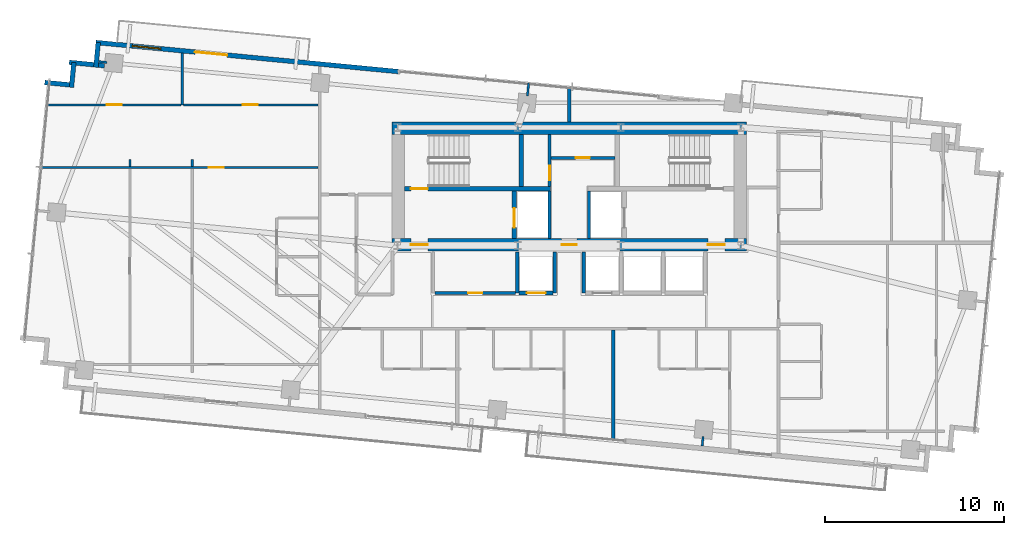
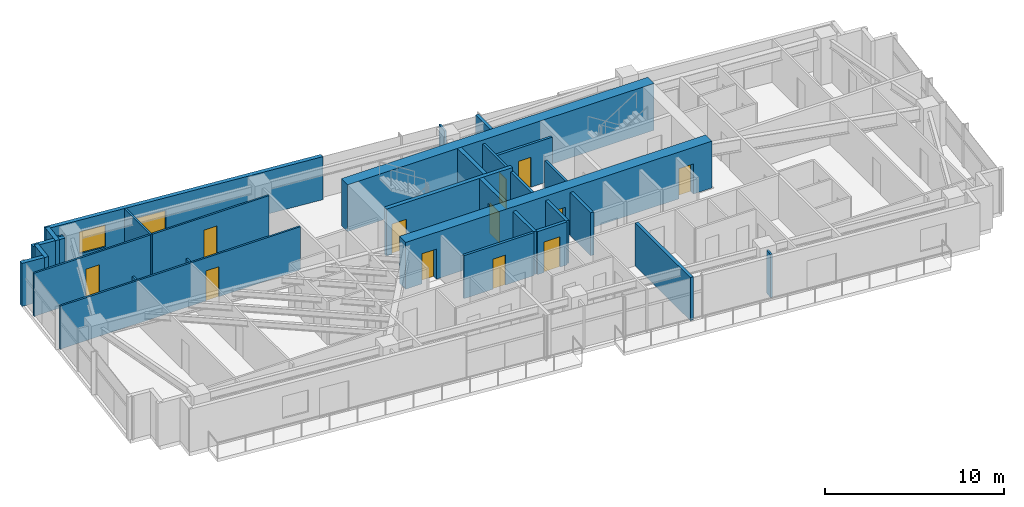
# One storey, part 15 of 19: 30 walls, 13 doors, 1 window, 14 openings.
"""IFC4 building model written with IfcOpenShell, lengths in metres."""

import ifcopenshell
import ifcopenshell.guid

model = None  # the IFC model being written
_history = None  # IfcOwnerHistory: only IFC2X3 demands one
_inside = {}  # id of a spatial element -> (the spatial element, [elements in it])
_under = {}  # id of a project, library or spatial element -> (it, [spatial elements below it])
_declared = {}  # id of a project -> (the project, [libraries it declares])
_typed = {}  # id of a type object -> (the type object, [elements of that type])
_made_of = {}  # id of a material, layer set ... -> (it, [elements and type objects made of it])


def new_model(schema):
    """Start an empty IFC model of exactly this schema.

    Asked for "IFC4X3", IfcOpenShell would pick the latest addendum, in which some entities
    have other attributes; the version numbers below select the first issue.
    IFC2X3 requires an IfcOwnerHistory on every rooted entity: one is made here for all.
    """
    global model, _history
    if schema == "IFC4X3":
        model = ifcopenshell.file(schema_version=(4, 3, 0, 0))
    else:
        model = ifcopenshell.file(schema=schema)
    _inside.clear()
    _under.clear()
    _declared.clear()
    _typed.clear()
    _made_of.clear()
    _history = None
    if model.schema == "IFC2X3":
        org = make("IfcOrganization", Name="unknown")
        user = make(
            "IfcPersonAndOrganization",
            ThePerson=make("IfcPerson", FamilyName="unknown"),
            TheOrganization=org,
        )
        app = make(
            "IfcApplication",
            ApplicationDeveloper=org,
            Version="unknown",
            ApplicationFullName="unknown",
            ApplicationIdentifier="unknown",
        )
        _history = make(
            "IfcOwnerHistory",
            OwningUser=user,
            OwningApplication=app,
            ChangeAction="ADDED",
            CreationDate=0,
        )
    return model


def make(cls, **values):
    """One entity of the class cls with the attributes given. An attribute that is None is left unset."""
    return model.create_entity(
        cls, **{name: value for name, value in values.items() if value is not None}
    )


def rooted(cls, **values):
    """An entity with a GlobalId (a new one), such as an element, a storey or a relation."""
    return make(cls, GlobalId=ifcopenshell.guid.new(), OwnerHistory=_history, **values)


def si_unit(unit_type, name, prefix=None):
    """IfcSIUnit, for example si_unit("LENGTHUNIT", "METRE", prefix="MILLI")."""
    return make("IfcSIUnit", UnitType=unit_type, Prefix=prefix, Name=name)


def assignment(units):
    """IfcUnitAssignment: the units of a project."""
    return None if units is None else make("IfcUnitAssignment", Units=units)


def point(xyz):
    """IfcCartesianPoint."""
    return None if xyz is None else make("IfcCartesianPoint", Coordinates=xyz)


def direction(xyz):
    """IfcDirection."""
    return None if xyz is None else make("IfcDirection", DirectionRatios=xyz)


def frame(location, z_axis=None, x_axis=None):
    """IfcAxis2Placement3D, a coordinate frame: its origin and axes. An axis left out is left unset."""
    return make(
        "IfcAxis2Placement3D",
        Location=point(location),
        Axis=direction(z_axis),
        RefDirection=direction(x_axis),
    )


def frame_2d(location, x_axis=None):
    """IfcAxis2Placement2D, a coordinate frame in the plane: its origin and x axis."""
    return make(
        "IfcAxis2Placement2D", Location=point(location), RefDirection=direction(x_axis)
    )


def origin():
    """The frame at (0, 0, 0) with its axes left unset."""
    return frame((0.0, 0.0, 0.0))


def place(relative_to, where):
    """IfcLocalPlacement: puts the frame where relative to a parent placement (None: the world)."""
    return make(
        "IfcLocalPlacement", PlacementRelTo=relative_to, RelativePlacement=where
    )


def context(
    kind, dimensions, precision=None, world=None, true_north=None, identifier=None
):
    """IfcGeometricRepresentationContext, for example the 3D "Model" context."""
    return make(
        "IfcGeometricRepresentationContext",
        ContextIdentifier=identifier,
        ContextType=kind,
        CoordinateSpaceDimension=dimensions,
        Precision=precision,
        WorldCoordinateSystem=world,
        TrueNorth=true_north,
    )


def subcontext(parent, identifier, kind, view, scale=None):
    """IfcGeometricRepresentationSubContext, for example "Body" below "Model"."""
    return make(
        "IfcGeometricRepresentationSubContext",
        ContextIdentifier=identifier,
        ContextType=kind,
        ParentContext=parent,
        TargetScale=scale,
        TargetView=view,
    )


def project(units=None, contexts=None):
    """IfcProject with its units and contexts."""
    return rooted(
        "IfcProject",
        Name="project",
        RepresentationContexts=contexts,
        UnitsInContext=assignment(units),
    )


def spatial(cls, under=None, at=None, **own):
    """A site, building, storey or space (cls), placed at a placement, below another one or the project."""
    s = rooted(cls, ObjectPlacement=at, **own)
    if under is not None:
        _under.setdefault(under.id(), (under, []))[1].append(s)
    return s


def profile(cls, at=None, kind="AREA", **sizes):
    """A parametric profile (cls). Its sizes go by their IFC names, for example OverallWidth=200.0."""
    return make(cls, ProfileType=kind, Position=at, **sizes)


def rectangle(**sizes):
    """IfcRectangleProfileDef."""
    return profile("IfcRectangleProfileDef", **sizes)


def extrude(swept, where, along, depth):
    """IfcExtrudedAreaSolid: the profile swept, set in the frame where, extruded along a direction by depth."""
    return make(
        "IfcExtrudedAreaSolid",
        SweptArea=swept,
        Position=where,
        ExtrudedDirection=direction(along),
        Depth=depth,
    )


def shape(context_of_items, identifier, shape_type, items):
    """IfcShapeRepresentation: the items that make up one representation, for example the "Body"."""
    return make(
        "IfcShapeRepresentation",
        ContextOfItems=context_of_items,
        RepresentationIdentifier=identifier,
        RepresentationType=shape_type,
        Items=items,
    )


def source(mapping_origin, context_of_items, identifier, shape_type, items):
    """IfcRepresentationMap: a shape defined once, which mapped items show again and again."""
    return make(
        "IfcRepresentationMap",
        MappingOrigin=mapping_origin,
        MappedRepresentation=shape(context_of_items, identifier, shape_type, items),
    )


def transform(
    local_origin,
    x_axis=None,
    y_axis=None,
    z_axis=None,
    scale=None,
    scale2=None,
    scale3=None,
    uniform=True,
):
    """IfcCartesianTransformationOperator3D, or its non-uniform kind. x_axis, y_axis, z_axis: its Axis1, 2, 3."""
    if uniform:
        return make(
            "IfcCartesianTransformationOperator3D",
            Axis1=direction(x_axis),
            Axis2=direction(y_axis),
            LocalOrigin=point(local_origin),
            Scale=scale,
            Axis3=direction(z_axis),
        )
    return make(
        "IfcCartesianTransformationOperator3DnonUniform",
        Axis1=direction(x_axis),
        Axis2=direction(y_axis),
        LocalOrigin=point(local_origin),
        Scale=scale,
        Axis3=direction(z_axis),
        Scale2=scale2,
        Scale3=scale3,
    )


def mapped(mapping_source, mapping_target):
    """IfcMappedItem: shows the shape of a source again, moved by a transform."""
    return make(
        "IfcMappedItem", MappingSource=mapping_source, MappingTarget=mapping_target
    )


def material(Name=None, Category=None):
    """IfcMaterial."""
    return make("IfcMaterial", Name=Name, Category=Category)


def layer(
    of_material, thickness, ventilated=None, Name=None, Category=None, Priority=None
):
    """IfcMaterialLayer: one layer of a wall or slab, of a material (None: an air gap)."""
    return make(
        "IfcMaterialLayer",
        Material=of_material,
        LayerThickness=thickness,
        IsVentilated=ventilated,
        Name=Name,
        Category=Category,
        Priority=Priority,
    )


def layer_set(layers, Name=None):
    """IfcMaterialLayerSet."""
    return make("IfcMaterialLayerSet", MaterialLayers=layers, LayerSetName=Name)


def made_of(thing, what):
    """Note that an element or type object is made of a material, layer set ...; save() writes the relation."""
    if what is not None:
        _made_of.setdefault(what.id(), (what, []))[1].append(thing)
    return thing


def type_object(cls, material=None, **own):
    """A type object (cls), such as IfcWallType, which elements share."""
    return made_of(rooted(cls, **own), material)


def type_shapes(of_type, sources):
    """Give a type object the sources (RepresentationMaps) that its elements show as mapped items."""
    of_type.RepresentationMaps = sources


def element(
    cls,
    number,
    at=None,
    inside=None,
    cuts=None,
    type_object=None,
    material=None,
    context=None,
    identifier="Body",
    shape_type=None,
    held_by="IfcProductDefinitionShape",
    body=None,
    shapes=None,
    **own,
):
    """One element of the class cls, such as IfcWall. Its Tag is "e" and its number.

    at: its placement. inside: the storey or other place that contains it. cuts: it is an
    opening in that element (IfcRelVoidsElement). A single representation is given by context,
    identifier, shape_type and body (its items); several are given by shapes. held_by: the class
    of the entity that holds the representations. save() writes the other relations.
    """
    e = rooted(cls, Tag="e%d" % number, ObjectPlacement=at, **own)
    if body is not None:
        shapes = [shape(context, identifier, shape_type, body)]
    if shapes is not None:
        e.Representation = make(held_by, Representations=shapes)
    if inside is not None:
        _inside.setdefault(inside.id(), (inside, []))[1].append(e)
    if cuts is not None:
        rooted(
            "IfcRelVoidsElement", RelatingBuildingElement=cuts, RelatedOpeningElement=e
        )
    if type_object is not None:
        _typed.setdefault(type_object.id(), (type_object, []))[1].append(e)
    return made_of(e, material)


def fill(opening, filler):
    """IfcRelFillsElement: the door or window that sits in an opening."""
    return rooted(
        "IfcRelFillsElement",
        RelatingOpeningElement=opening,
        RelatedBuildingElement=filler,
    )


def aggregate(whole, parts):
    """IfcRelAggregates: a whole, such as a stair, and the parts it consists of."""
    return rooted("IfcRelAggregates", RelatingObject=whole, RelatedObjects=parts)


def save(model, path):
    """Write the relations noted so far, then the file.

    IfcRelAggregates (storeys below a building ...), IfcRelContainedInSpatialStructure (elements
    in a storey), IfcRelDefinesByType, IfcRelAssociatesMaterial and IfcRelDeclares: one each for
    every whole, place, type object, material and project.
    """
    for whole, parts in _under.values():
        aggregate(whole, parts)
    for where, things in _inside.values():
        rooted(
            "IfcRelContainedInSpatialStructure",
            RelatedElements=things,
            RelatingStructure=where,
        )
    for kind, things in _typed.values():
        rooted("IfcRelDefinesByType", RelatedObjects=things, RelatingType=kind)
    for what, things in _made_of.values():
        rooted("IfcRelAssociatesMaterial", RelatedObjects=things, RelatingMaterial=what)
    for by, libraries in _declared.values():
        rooted("IfcRelDeclares", RelatingContext=by, RelatedDefinitions=libraries)
    model.write(path)


model = new_model("IFC4")

# Units and contexts
model_context = context("Model", 3, precision=1e-05, world=origin(), true_north=direction((0.0, 1.0)))
body_context = subcontext(model_context, "Body", "Model", "MODEL_VIEW")
ifc_project = project(units=[si_unit("LENGTHUNIT", "METRE"), si_unit("AREAUNIT", "SQUARE_METRE"), si_unit("VOLUMEUNIT", "CUBIC_METRE"), si_unit("PLANEANGLEUNIT", "RADIAN"), si_unit("MASSUNIT", "GRAM", prefix="KILO")], contexts=[model_context])

# Site, building, storey
site_placement = place(None, origin())
site = spatial("IfcSite", under=ifc_project, at=site_placement, CompositionType="ELEMENT")
building_placement = place(site_placement, origin())
building = spatial("IfcBuilding", under=site, at=building_placement, Name="Astriad Promenade Condominiums", CompositionType="ELEMENT")
storey_placement = place(building_placement, frame((0.0, 0.0, 143.800048828125)))
storey = spatial("IfcBuildingStorey", under=building, at=storey_placement, Name="L41", CompositionType="ELEMENT", Elevation=143.800048828125)

# Wall, openings, doors
ifc_material_1 = material(Name="Concrete C60/75", Category="concrete")
ifc_layer_1 = layer(ifc_material_1, 0.699951171875)
ifc_layer_set_1 = layer_set([ifc_layer_1], Name="Concrete C60/75")
wall_type_1 = type_object("IfcWallType", Name="CW-SHEAR-700", PredefinedType="SHEAR", material=ifc_layer_set_1)
wall_1_placement = place(storey_placement, frame((26.10009765625, 17.449951171875, 0.0), z_axis=(0.0, 0.0, 1.0), x_axis=(1.0, 0.0, 0.0)))
wall_1 = element("IfcWall", 1, at=wall_1_placement, inside=storey, type_object=wall_type_1, Name="CW-CORE-S-L41", PredefinedType="SHEAR", context=body_context, shape_type="SweptSolid", body=[
    extrude(rectangle(XDim=19.7998046875, YDim=0.699951171875, at=frame_2d((9.89990234375, 0.0))), origin(), (0.0, 0.0, 1.0), 3.199951171875),
])
opening_1_placement = place(wall_1_placement, frame((1.050048828125, 0.0, 0.0)))
opening_1 = element("IfcOpeningElement", 2, at=opening_1_placement, cuts=wall_1, Name="Opening FD90-ST-095", PredefinedType="OPENING", context=body_context, shape_type="SweptSolid", body=[
    extrude(rectangle(XDim=0.949951171875, YDim=2.06005859375, at=frame_2d((0.47509765625, 1.030029296875))), frame((0.0, 0.35986328125, 0.0), z_axis=(0.0, -1.0, 0.0), x_axis=(1.0, 0.0, 0.0)), (0.0, 0.0, 1.0), 0.719970703125),
])
opening_2_placement = place(wall_1_placement, frame((9.47998046875, 0.0, 0.0)))
opening_2 = element("IfcOpeningElement", 3, at=opening_2_placement, cuts=wall_1, Name="Opening FD60-ULOW-085", PredefinedType="OPENING", context=body_context, shape_type="SweptSolid", body=[
    extrude(rectangle(XDim=0.85009765625, YDim=2.0, at=frame_2d((0.425048828125, 1.0))), frame((0.0, 0.35986328125, 0.0), z_axis=(0.0, -1.0, 0.0), x_axis=(1.0, 0.0, 0.0)), (0.0, 0.0, 1.0), 0.719970703125),
])
opening_3_placement = place(wall_1_placement, frame((17.64990234375, 0.0, 0.0)))
opening_3 = element("IfcOpeningElement", 4, at=opening_3_placement, cuts=wall_1, Name="Opening FD90-ST-095", PredefinedType="OPENING", context=body_context, shape_type="SweptSolid", body=[
    extrude(rectangle(XDim=0.949951171875, YDim=2.06005859375, at=frame_2d((0.47509765625, 1.030029296875))), frame((0.0, 0.35986328125, 0.0), z_axis=(0.0, -1.0, 0.0), x_axis=(1.0, 0.0, 0.0)), (0.0, 0.0, 1.0), 0.719970703125),
])
ifc_material_2 = material(Name="Fire-Rated Hollow Metal Stair Door")
door_type_1 = type_object("IfcDoorType", Name="FD90-ST-095", OperationType="NOTDEFINED", PredefinedType="DOOR", material=ifc_material_2)
shared_shape_1 = source(origin(), body_context, "Body", "SweptSolid", [
    extrude(rectangle(XDim=0.949951171875, YDim=2.06005859375, at=frame_2d((0.47509765625, 1.030029296875))), frame((0.0, 0.02490234375, 0.0), z_axis=(0.0, -1.0, 0.0), x_axis=(1.0, 0.0, 0.0)), (0.0, 0.0, 1.0), 0.050048828125),
])
type_shapes(door_type_1, [shared_shape_1])
door_1_placement = place(opening_1_placement, origin())
door_1 = element("IfcDoor", 5, at=door_1_placement, inside=storey, type_object=door_type_1, Name="D-FFW-L41", OperationType="SINGLE_SWING_LEFT", OverallHeight=2.06005859375, OverallWidth=0.949951171875, PredefinedType="DOOR", context=body_context, shape_type="MappedRepresentation", body=[
    mapped(shared_shape_1, transform((0.0, 0.0, 0.0), scale=1.0)),
])
fill(opening_1, door_1)
door_2_placement = place(opening_3_placement, origin())
door_2 = element("IfcDoor", 6, at=door_2_placement, inside=storey, type_object=door_type_1, Name="D-FFE-L41", OperationType="SINGLE_SWING_RIGHT", OverallHeight=2.06005859375, OverallWidth=0.949951171875, PredefinedType="DOOR", context=body_context, shape_type="MappedRepresentation", body=[
    mapped(shared_shape_1, transform((0.0, 0.0, 0.0), scale=1.0)),
])
fill(opening_3, door_2)
ifc_material_3 = material(Name="Solid-Core Low-Headroom Fire Door")
door_type_2 = type_object("IfcDoorType", Name="FD60-ULOW-085", OperationType="NOTDEFINED", PredefinedType="DOOR", material=ifc_material_3)
shared_shape_2 = source(origin(), body_context, "Body", "SweptSolid", [
    extrude(rectangle(XDim=0.85009765625, YDim=2.0, at=frame_2d((0.425048828125, 1.0))), frame((0.0, 0.02490234375, 0.0), z_axis=(0.0, -1.0, 0.0), x_axis=(1.0, 0.0, 0.0)), (0.0, 0.0, 1.0), 0.050048828125),
])
type_shapes(door_type_2, [shared_shape_2])
door_3_placement = place(opening_2_placement, origin())
door_3 = element("IfcDoor", 7, at=door_3_placement, inside=storey, type_object=door_type_2, Name="D-CSL-L41", OperationType="SINGLE_SWING_RIGHT", OverallHeight=2.0, OverallWidth=0.85009765625, PredefinedType="DOOR", context=body_context, shape_type="MappedRepresentation", body=[
    mapped(shared_shape_2, transform((0.0, 0.0, 0.0), scale=1.0)),
])
fill(opening_2, door_3)

# Wall
wall_2_placement = place(storey_placement, frame((26.10009765625, 23.949951171875, 0.0), z_axis=(0.0, 0.0, 1.0), x_axis=(1.0, 0.0, 0.0)))
element("IfcWall", 8, at=wall_2_placement, inside=storey, type_object=wall_type_1, Name="CW-CORE-N-L41", PredefinedType="SHEAR", context=body_context, shape_type="SweptSolid", body=[
    extrude(rectangle(XDim=19.7998046875, YDim=0.699951171875, at=frame_2d((9.89990234375, 0.0))), origin(), (0.0, 0.0, 1.0), 3.199951171875),
])

# Wall, opening, door
ifc_material_4 = material(Name="Concrete C50/60", Category="concrete")
ifc_layer_2 = layer(ifc_material_4, 0.25)
ifc_layer_set_2 = layer_set([ifc_layer_2], Name="Concrete C50/60")
wall_type_2 = type_object("IfcWallType", Name="WALL-CORE-INT-250", PredefinedType="SOLIDWALL", material=ifc_layer_set_2)
wall_3_placement = place(storey_placement, frame((26.802001953125, 20.574951171875, 0.0), z_axis=(0.0, 0.0, 1.0), x_axis=(1.0, 0.0, 0.0)))
wall_3 = element("IfcWall", 9, at=wall_3_placement, inside=storey, type_object=wall_type_2, Name="CW-INT-H1-L41", PredefinedType="SOLIDWALL", context=body_context, shape_type="SweptSolid", body=[
    extrude(rectangle(XDim=8.14794921875, YDim=0.25, at=frame_2d((4.073974609375, 0.0))), origin(), (0.0, 0.0, 1.0), 3.199951171875),
])
opening_4_placement = place(wall_3_placement, frame((0.347900390625, 0.0, 0.0)))
opening_4 = element("IfcOpeningElement", 10, at=opening_4_placement, cuts=wall_3, Name="Opening FD90-ST-095", PredefinedType="OPENING", context=body_context, shape_type="SweptSolid", body=[
    extrude(rectangle(XDim=0.949951171875, YDim=2.06005859375, at=frame_2d((0.47509765625, 1.030029296875))), frame((0.0, 0.135009765625, 0.0), z_axis=(0.0, -1.0, 0.0), x_axis=(1.0, 0.0, 0.0)), (0.0, 0.0, 1.0), 0.27001953125),
])
door_4_placement = place(opening_4_placement, origin())
door_4 = element("IfcDoor", 11, at=door_4_placement, inside=storey, type_object=door_type_1, Name="D-ST1-L41", OperationType="SINGLE_SWING_RIGHT", OverallHeight=2.06005859375, OverallWidth=0.949951171875, PredefinedType="DOOR", context=body_context, shape_type="MappedRepresentation", body=[
    mapped(shared_shape_1, transform((0.0, 0.0, 0.0), scale=1.0)),
])
fill(opening_4, door_4)

# Wall
wall_4_placement = place(storey_placement, frame((33.324951171875, 20.701904296875, 0.0), z_axis=(0.0, 0.0, 1.0), x_axis=(0.0, 1.0, 0.0)))
element("IfcWall", 12, at=wall_4_placement, inside=storey, type_object=wall_type_2, Name="CW-ST1-E-L41", PredefinedType="SOLIDWALL", context=body_context, shape_type="SweptSolid", body=[
    extrude(rectangle(XDim=2.89599609375, YDim=0.25, at=frame_2d((1.447998046875, 0.0))), origin(), (0.0, 0.0, 1.0), 3.199951171875),
])

# Wall, opening, door
wall_5_placement = place(storey_placement, frame((32.925048828125, 17.802001953125, 0.0), z_axis=(0.0, 0.0, 1.0), x_axis=(0.0, 1.0, 0.0)))
wall_5 = element("IfcWall", 13, at=wall_5_placement, inside=storey, type_object=wall_type_2, Name="CW-FFL1-W-L41", PredefinedType="SOLIDWALL", context=body_context, shape_type="SweptSolid", body=[
    extrude(rectangle(XDim=2.64599609375, YDim=0.25, at=frame_2d((1.322998046875, 0.0))), origin(), (0.0, 0.0, 1.0), 3.199951171875),
])
opening_5_placement = place(wall_5_placement, frame((0.597900390625, 0.0, 0.0)))
opening_5 = element("IfcOpeningElement", 14, at=opening_5_placement, cuts=wall_5, Name="Opening LD-FFL-1122", PredefinedType="OPENING", context=body_context, shape_type="SweptSolid", body=[
    extrude(rectangle(XDim=1.10009765625, YDim=2.080078125, at=frame_2d((0.550048828125, 1.0400390625))), frame((0.0, 0.135009765625, 0.0), z_axis=(0.0, -1.0, 0.0), x_axis=(1.0, 0.0, 0.0)), (0.0, 0.0, 1.0), 0.27001953125),
])
ifc_material_5 = material(Name="Brushed Stainless Steel Fire Elevator Landing Door", Category="steel")
door_type_3 = type_object("IfcDoorType", Name="LD-FFL-1122", OperationType="NOTDEFINED", PredefinedType="DOOR", material=ifc_material_5)
shared_shape_3 = source(origin(), body_context, "Body", "SweptSolid", [
    extrude(rectangle(XDim=1.10009765625, YDim=2.080078125, at=frame_2d((0.550048828125, 1.0400390625))), frame((0.0, 0.02490234375, 0.0), z_axis=(0.0, -1.0, 0.0), x_axis=(1.0, 0.0, 0.0)), (0.0, 0.0, 1.0), 0.050048828125),
])
type_shapes(door_type_3, [shared_shape_3])
door_5_placement = place(opening_5_placement, origin())
door_5 = element("IfcDoor", 15, at=door_5_placement, inside=storey, type_object=door_type_3, Name="Elevator Landing Door FFL-1 (L41)", OperationType="SLIDING_TO_LEFT", OverallHeight=2.080078125, OverallWidth=1.10009765625, PredefinedType="DOOR", context=body_context, shape_type="MappedRepresentation", body=[
    mapped(shared_shape_3, transform((0.0, 0.0, 0.0), scale=1.0)),
])
fill(opening_5, door_5)

# Walls
ifc_material_6 = material(Name="Fire-Rated Gypsum Partition")
ifc_layer_3 = layer(ifc_material_6, 0.159912109375)
ifc_layer_set_3 = layer_set([ifc_layer_3], Name="Fire-Rated Gypsum Partition")
wall_type_3 = type_object("IfcWallType", Name="WALL-CORR-160", PredefinedType="PARTITIONING", material=ifc_layer_set_3)
for number, where, z_axis, x_axis, name in (
    (16, (34.89990234375, 17.802001953125, 0.0), (0.0, 0.0, 1.0), (0.0, 1.0, 0.0), "CW-FFL1-E-L41"),
    (17, (37.10009765625, 17.802001953125, 0.0), (0.0, 0.0, 1.0), (0.0, 1.0, 0.0), "CW-FFL2-W-L41"),
):
    element("IfcWall", number, at=place(storey_placement, frame(where, z_axis=z_axis, x_axis=x_axis)), inside=storey, type_object=wall_type_3, Name=name, PredefinedType="PARTITIONING", context=body_context, shape_type="SweptSolid", body=[
        extrude(rectangle(XDim=2.64599609375, YDim=0.159912109375, at=frame_2d((1.322998046875, 0.0))), origin(), (0.0, 0.0, 1.0), 2.93994140625),
    ])

# Wall, opening, door
wall_6_placement = place(storey_placement, frame((34.89990234375, 20.701904296875, 0.0), z_axis=(0.0, 0.0, 1.0), x_axis=(0.0, 1.0, 0.0)))
wall_6 = element("IfcWall", 18, at=wall_6_placement, inside=storey, type_object=wall_type_3, Name="CW-AUX-W-L41", PredefinedType="PARTITIONING", context=body_context, shape_type="SweptSolid", body=[
    extrude(rectangle(XDim=2.89599609375, YDim=0.159912109375, at=frame_2d((1.447998046875, 0.0))), origin(), (0.0, 0.0, 1.0), 2.93994140625),
])
opening_6_placement = place(wall_6_placement, frame((0.347900390625, 0.0, 0.0)))
opening_6 = element("IfcOpeningElement", 19, at=opening_6_placement, cuts=wall_6, Name="Opening FD60-SV-080", PredefinedType="OPENING", context=body_context, shape_type="SweptSolid", body=[
    extrude(rectangle(XDim=0.800048828125, YDim=2.050048828125, at=frame_2d((0.39990234375, 1.02490234375))), frame((0.0, 0.08984375, 0.0), z_axis=(0.0, -1.0, 0.0), x_axis=(1.0, 0.0, 0.0)), (0.0, 0.0, 1.0), 0.179931640625),
])
ifc_material_7 = material(Name="Fire-Rated Riser Closet Door")
door_type_4 = type_object("IfcDoorType", Name="FD60-SV-080", OperationType="NOTDEFINED", PredefinedType="DOOR", material=ifc_material_7)
shared_shape_4 = source(origin(), body_context, "Body", "SweptSolid", [
    extrude(rectangle(XDim=0.800048828125, YDim=2.050048828125, at=frame_2d((0.39990234375, 1.02490234375))), frame((0.0, 0.02490234375, 0.0), z_axis=(0.0, -1.0, 0.0), x_axis=(1.0, 0.0, 0.0)), (0.0, 0.0, 1.0), 0.050048828125),
])
type_shapes(door_type_4, [shared_shape_4])
door_6_placement = place(opening_6_placement, origin())
door_6 = element("IfcDoor", 20, at=door_6_placement, inside=storey, type_object=door_type_4, Name="D-AUX1-L41", OperationType="SINGLE_SWING_RIGHT", OverallHeight=2.050048828125, OverallWidth=0.800048828125, PredefinedType="DOOR", context=body_context, shape_type="MappedRepresentation", body=[
    mapped(shared_shape_4, transform((0.0, 0.0, 0.0), scale=1.0)),
])
fill(opening_6, door_6)

wall_7_placement = place(storey_placement, frame((34.98193359375, 22.300048828125, 0.0), z_axis=(0.0, 0.0, 1.0), x_axis=(1.0, 0.0, 0.0)))
wall_7 = element("IfcWall", 21, at=wall_7_placement, inside=storey, type_object=wall_type_3, Name="CW-AUX-N-L41", PredefinedType="PARTITIONING", context=body_context, shape_type="SweptSolid", body=[
    extrude(rectangle(XDim=3.566162109375, YDim=0.159912109375, at=frame_2d((1.783203125, 0.0))), origin(), (0.0, 0.0, 1.0), 2.93994140625),
])
opening_7_placement = place(wall_7_placement, frame((1.3779296875, 0.0, 0.0)))
opening_7 = element("IfcOpeningElement", 22, at=opening_7_placement, cuts=wall_7, Name="Opening FD60-SV-080", PredefinedType="OPENING", context=body_context, shape_type="SweptSolid", body=[
    extrude(rectangle(XDim=0.800048828125, YDim=2.050048828125, at=frame_2d((0.39990234375, 1.02490234375))), frame((0.0, 0.08984375, 0.0), z_axis=(0.0, -1.0, 0.0), x_axis=(1.0, 0.0, 0.0)), (0.0, 0.0, 1.0), 0.179931640625),
])
door_7_placement = place(opening_7_placement, origin())
door_7 = element("IfcDoor", 23, at=door_7_placement, inside=storey, type_object=door_type_4, Name="D-AUX2-L41", OperationType="SINGLE_SWING_LEFT", OverallHeight=2.050048828125, OverallWidth=0.800048828125, PredefinedType="DOOR", context=body_context, shape_type="MappedRepresentation", body=[
    mapped(shared_shape_4, transform((0.0, 0.0, 0.0), scale=1.0)),
])
fill(opening_7, door_7)

wall_8_placement = place(storey_placement, frame((28.48193359375, 14.75, 0.0), z_axis=(0.0, 0.0, 1.0), x_axis=(1.0, 0.0, 0.0)))
wall_8 = element("IfcWall", 24, at=wall_8_placement, inside=storey, type_object=wall_type_3, Name="REC-L-S-L41", PredefinedType="PARTITIONING", context=body_context, shape_type="SweptSolid", body=[
    extrude(rectangle(XDim=4.51611328125, YDim=0.159912109375, at=frame_2d((2.258056640625, 0.0))), origin(), (0.0, 0.0, 1.0), 2.93994140625),
])
opening_8_placement = place(wall_8_placement, frame((1.867919921875, 0.0, 0.0)))
opening_8 = element("IfcOpeningElement", 25, at=opening_8_placement, cuts=wall_8, Name="Opening FD60-SV-080", PredefinedType="OPENING", context=body_context, shape_type="SweptSolid", body=[
    extrude(rectangle(XDim=0.800048828125, YDim=2.050048828125, at=frame_2d((0.39990234375, 1.02490234375))), frame((0.0, 0.08984375, 0.0), z_axis=(0.0, -1.0, 0.0), x_axis=(1.0, 0.0, 0.0)), (0.0, 0.0, 1.0), 0.179931640625),
])
door_8_placement = place(opening_8_placement, origin())
door_8 = element("IfcDoor", 26, at=door_8_placement, inside=storey, type_object=door_type_4, Name="D-RECL-L41", OperationType="SINGLE_SWING_RIGHT", OverallHeight=2.050048828125, OverallWidth=0.800048828125, PredefinedType="DOOR", context=body_context, shape_type="MappedRepresentation", body=[
    mapped(shared_shape_4, transform((0.0, 0.0, 0.0), scale=1.0)),
])
fill(opening_8, door_8)

# Walls
ifc_material_8 = material(Name="Acoustic Double-Stud Gypsum Partition")
ifc_layer_4 = layer(ifc_material_8, 0.199951171875)
ifc_layer_set_4 = layer_set([ifc_layer_4], Name="Acoustic Double-Stud Gypsum Partition")
wall_type_4 = type_object("IfcWallType", Name="WALL-DEMISING-200", PredefinedType="PARTITIONING", material=ifc_layer_set_4)
wall_9_placement = place(storey_placement, frame((36.0, 24.302001953125, 0.0), z_axis=(0.0, 0.0, 1.0), x_axis=(0.0, 1.0, 0.0)))
element("IfcWall", 27, at=wall_9_placement, inside=storey, type_object=wall_type_4, Name="PT-NC-MID-L41", PredefinedType="PARTITIONING", context=body_context, shape_type="SweptSolid", body=[
    extrude(rectangle(XDim=1.954833984375, YDim=0.199951171875, at=frame_2d((0.9775390625, 0.0))), origin(), (0.0, 0.0, 1.0), 2.93994140625),
])
wall_10_placement = place(storey_placement, frame((38.466064453125, 6.489501953125, 0.0), z_axis=(0.0, 0.0, 1.0), x_axis=(0.0, 1.0, 0.0)))
element("IfcWall", 28, at=wall_10_placement, inside=storey, type_object=wall_type_4, Name="PT-DEM-S2-L41", PredefinedType="PARTITIONING", context=body_context, shape_type="SweptSolid", body=[
    extrude(rectangle(XDim=6.178466796875, YDim=0.199951171875, at=frame_2d((3.08935546875, 0.0))), origin(), (0.0, 0.0, 1.0), 2.93994140625),
])
ifc_material_9 = material(Name="Precast concrete C50/60", Category="concrete")
ifc_layer_5 = layer(ifc_material_9, 0.260009765625)
ifc_layer_set_5 = layer_set([ifc_layer_5], Name="Precast concrete C50/60")
wall_type_5 = type_object("IfcWallType", Name="WALL-EXT-TWR-260", PredefinedType="STANDARD", material=ifc_layer_set_5)
wall_11_placement = place(storey_placement, frame((6.68115234375, 26.518310546875, 0.0), z_axis=(0.0, 0.0, 1.0), x_axis=(0.995389446633, -0.095915846097, 0.0)))
element("IfcWall", 29, at=wall_11_placement, inside=storey, type_object=wall_type_5, Name="W-SER-L41-04", PredefinedType="STANDARD", context=body_context, shape_type="SweptSolid", body=[
    extrude(rectangle(XDim=1.394775390625, YDim=0.260009765625, at=frame_2d((0.697265625, 0.0))), origin(), (0.0, 0.0, 1.0), 2.93994140625),
])
wall_12_placement = place(storey_placement, frame((8.171875, 26.243896484375, 0.0), z_axis=(0.0, 0.0, 1.0), x_axis=(0.095725744959, 0.99540774648, 0.0)))
element("IfcWall", 30, at=wall_12_placement, inside=storey, type_object=wall_type_5, Name="W-SER-L41-05", PredefinedType="STANDARD", context=body_context, shape_type="SweptSolid", body=[
    extrude(rectangle(XDim=1.39501953125, YDim=0.260009765625, at=frame_2d((0.697509765625, 0.0))), origin(), (0.0, 0.0, 1.0), 2.93994140625),
])
wall_13_placement = place(storey_placement, frame((8.045166015625, 27.642578125, 0.0), z_axis=(0.0, 0.0, 1.0), x_axis=(0.995391147587, -0.095898192396, 0.0)))
element("IfcWall", 31, at=wall_13_placement, inside=storey, type_object=wall_type_5, Name="W-SER-L41-06", PredefinedType="STANDARD", context=body_context, shape_type="SweptSolid", body=[
    extrude(rectangle(XDim=1.97802734375, YDim=0.260009765625, at=frame_2d((0.989013671875, 0.0))), origin(), (0.0, 0.0, 1.0), 2.93994140625),
])
wall_14_placement = place(storey_placement, frame((9.535888671875, 27.368408203125, 0.0), z_axis=(0.0, 0.0, 1.0), x_axis=(0.095915846097, 0.995389446633, 0.0)))
element("IfcWall", 32, at=wall_14_placement, inside=storey, type_object=wall_type_5, Name="W-SER-L41-07", PredefinedType="STANDARD", context=body_context, shape_type="SweptSolid", body=[
    extrude(rectangle(XDim=1.394775390625, YDim=0.260009765625, at=frame_2d((0.697265625, 0.0))), origin(), (0.0, 0.0, 1.0), 2.93994140625),
])

# Wall, openings, door, window
wall_15_placement = place(storey_placement, frame((9.538818359375, 28.75439453125, 0.0), z_axis=(0.0, 0.0, 1.0), x_axis=(0.995397345886, -0.09583383433, 0.0)))
wall_15 = element("IfcWall", 33, at=wall_15_placement, inside=storey, type_object=wall_type_5, Name="W-EXT-L41-N1", PredefinedType="STANDARD", context=body_context, shape_type="SweptSolid", body=[
    extrude(rectangle(XDim=17.010009765625, YDim=0.260009765625, at=frame_2d((8.5048828125, 0.0))), origin(), (0.0, 0.0, 1.0), 2.93994140625),
])
opening_9_placement = place(wall_15_placement, frame((5.56689453125, 0.0, 0.0)))
opening_9 = element("IfcOpeningElement", 34, at=opening_9_placement, cuts=wall_15, Name="Opening BD-1822-SLD", PredefinedType="OPENING", context=body_context, shape_type="SweptSolid", body=[
    extrude(rectangle(XDim=1.800048828125, YDim=2.06005859375, at=frame_2d((0.89990234375, 1.030029296875))), frame((0.0, 0.139892578125, 0.0), z_axis=(0.0, -1.0, 0.0), x_axis=(1.0, 0.0, 0.0)), (0.0, 0.0, 1.0), 0.280029296875),
])
opening_10_placement = place(wall_15_placement, frame((2.050048828125, 0.0, 0.64990234375)))
opening_10 = element("IfcOpeningElement", 35, at=opening_10_placement, cuts=wall_15, Name="Opening WIN-TWR-1620", PredefinedType="OPENING", context=body_context, shape_type="SweptSolid", body=[
    extrude(rectangle(XDim=1.60009765625, YDim=1.5, at=frame_2d((0.800048828125, 0.75))), frame((0.0, 0.139892578125, 0.0), z_axis=(0.0, -1.0, 0.0), x_axis=(1.0, 0.0, 0.0)), (0.0, 0.0, 1.0), 0.280029296875),
])
ifc_material_10 = material(Name="Thermally Broken Aluminium Sliding Balcony Door", Category="aluminium")
door_type_5 = type_object("IfcDoorType", Name="BD-1822-SLD", OperationType="NOTDEFINED", PredefinedType="DOOR", material=ifc_material_10)
shared_shape_5 = source(origin(), body_context, "Body", "SweptSolid", [
    extrude(rectangle(XDim=1.800048828125, YDim=2.06005859375, at=frame_2d((0.89990234375, 1.030029296875))), frame((0.0, 0.02490234375, 0.0), z_axis=(0.0, -1.0, 0.0), x_axis=(1.0, 0.0, 0.0)), (0.0, 0.0, 1.0), 0.050048828125),
])
type_shapes(door_type_5, [shared_shape_5])
door_9_placement = place(opening_9_placement, origin())
door_9 = element("IfcDoor", 36, at=door_9_placement, inside=storey, type_object=door_type_5, Name="BD-L41-NW", OperationType="SLIDING_TO_LEFT", OverallHeight=2.06005859375, OverallWidth=1.800048828125, PredefinedType="DOOR", context=body_context, shape_type="MappedRepresentation", body=[
    mapped(shared_shape_5, transform((0.0, 0.0, 0.0), scale=1.0)),
])
fill(opening_9, door_9)
ifc_material_11 = material(Name="Dark Tinted Triple-Glazed Aluminium Window", Category="aluminium")
window_type = type_object("IfcWindowType", Name="WIN-TWR-1620", PartitioningType="SINGLE_PANEL", PredefinedType="WINDOW", material=ifc_material_11)
shared_shape_6 = source(origin(), body_context, "Body", "SweptSolid", [
    extrude(rectangle(XDim=1.60009765625, YDim=1.5, at=frame_2d((0.800048828125, 0.75))), frame((0.0, 0.030029296875, 0.0), z_axis=(0.0, -1.0, 0.0), x_axis=(1.0, 0.0, 0.0)), (0.0, 0.0, 1.0), 0.06005859375),
])
type_shapes(window_type, [shared_shape_6])
window_placement = place(opening_10_placement, origin())
window = element("IfcWindow", 37, at=window_placement, inside=storey, type_object=window_type, Name="WIN-L41-NW", OverallHeight=1.5, OverallWidth=1.60009765625, PartitioningType="SINGLE_PANEL", PredefinedType="WINDOW", context=body_context, shape_type="MappedRepresentation", body=[
    mapped(shared_shape_6, transform((0.0, 0.0, 0.0), scale=1.0)),
])
fill(opening_10, window)

# Wall
ifc_material_12 = material(Name="Acoustic Metal-Stud Gypsum Partition")
ifc_layer_6 = layer(ifc_material_12, 0.1201171875)
ifc_layer_set_6 = layer_set([ifc_layer_6], Name="Acoustic Metal-Stud Gypsum Partition")
wall_type_6 = type_object("IfcWallType", Name="WALL-PART-120", PredefinedType="PARTITIONING", material=ifc_layer_set_6)
wall_16_placement = place(storey_placement, frame((14.364013671875, 25.26806640625, 0.0), z_axis=(0.0, 0.0, 1.0), x_axis=(0.0, 1.0, 0.0)))
element("IfcWall", 38, at=wall_16_placement, inside=storey, type_object=wall_type_6, Name="PT-L41-W1-B1M", PredefinedType="PARTITIONING", context=body_context, shape_type="SweptSolid", body=[
    extrude(rectangle(XDim=2.88916015625, YDim=0.1201171875, at=frame_2d((1.444580078125, 0.0))), origin(), (0.0, 0.0, 1.0), 2.93994140625),
])

# Wall, opening, door
wall_17_placement = place(storey_placement, frame((6.771728515625, 25.26806640625, 0.0), z_axis=(0.0, 0.0, 1.0), x_axis=(1.0, 0.0, 0.0)))
wall_17 = element("IfcWall", 39, at=wall_17_placement, inside=storey, type_object=wall_type_6, Name="PT-L41-W1-B1", PredefinedType="PARTITIONING", context=body_context, shape_type="SweptSolid", body=[
    extrude(rectangle(XDim=7.5302734375, YDim=0.1201171875, at=frame_2d((3.76513671875, 0.0))), origin(), (0.0, 0.0, 1.0), 2.93994140625),
])
opening_11_placement = place(wall_17_placement, frame((3.3642578125, 0.0, 0.0)))
opening_11 = element("IfcOpeningElement", 40, at=opening_11_placement, cuts=wall_17, Name="Opening D-INT-085", PredefinedType="OPENING", context=body_context, shape_type="SweptSolid", body=[
    extrude(rectangle(XDim=0.85009765625, YDim=2.050048828125, at=frame_2d((0.425048828125, 1.02490234375))), frame((0.0, 0.070068359375, 0.0), z_axis=(0.0, -1.0, 0.0), x_axis=(1.0, 0.0, 0.0)), (0.0, 0.0, 1.0), 0.14013671875),
])
ifc_material_13 = material(Name="Painted Solid-Core Timber Room Door", Category="wood")
door_type_6 = type_object("IfcDoorType", Name="D-INT-085", OperationType="NOTDEFINED", PredefinedType="DOOR", material=ifc_material_13)
shared_shape_7 = source(origin(), body_context, "Body", "SweptSolid", [
    extrude(rectangle(XDim=0.85009765625, YDim=2.050048828125, at=frame_2d((0.425048828125, 1.02490234375))), frame((0.0, 0.02490234375, 0.0), z_axis=(0.0, -1.0, 0.0), x_axis=(1.0, 0.0, 0.0)), (0.0, 0.0, 1.0), 0.050048828125),
])
type_shapes(door_type_6, [shared_shape_7])
door_10_placement = place(opening_11_placement, origin())
door_10 = element("IfcDoor", 41, at=door_10_placement, inside=storey, type_object=door_type_6, Name="D-BD1-L41-W1", OperationType="SINGLE_SWING_LEFT", OverallHeight=2.050048828125, OverallWidth=0.85009765625, PredefinedType="DOOR", context=body_context, shape_type="MappedRepresentation", body=[
    mapped(shared_shape_7, transform((0.0, 0.0, 0.0), scale=1.0)),
])
fill(opening_11, door_10)

wall_18_placement = place(storey_placement, frame((14.426025390625, 25.26806640625, 0.0), z_axis=(0.0, 0.0, 1.0), x_axis=(1.0, 0.0, 0.0)))
wall_18 = element("IfcWall", 42, at=wall_18_placement, inside=storey, type_object=wall_type_6, Name="PT-L41-W1-B1-S2", PredefinedType="PARTITIONING", context=body_context, shape_type="SweptSolid", body=[
    extrude(rectangle(XDim=7.5419921875, YDim=0.1201171875, at=frame_2d((3.77099609375, 0.0))), origin(), (0.0, 0.0, 1.0), 2.93994140625),
])
opening_12_placement = place(wall_18_placement, frame((3.31591796875, 0.0, 0.0)))
opening_12 = element("IfcOpeningElement", 43, at=opening_12_placement, cuts=wall_18, Name="Opening D-INT-085", PredefinedType="OPENING", context=body_context, shape_type="SweptSolid", body=[
    extrude(rectangle(XDim=0.85009765625, YDim=2.050048828125, at=frame_2d((0.425048828125, 1.02490234375))), frame((0.0, 0.070068359375, 0.0), z_axis=(0.0, -1.0, 0.0), x_axis=(1.0, 0.0, 0.0)), (0.0, 0.0, 1.0), 0.14013671875),
])
door_11_placement = place(opening_12_placement, origin())
door_11 = element("IfcDoor", 44, at=door_11_placement, inside=storey, type_object=door_type_6, Name="D-BD1B-L41-W1", OperationType="SINGLE_SWING_RIGHT", OverallHeight=2.050048828125, OverallWidth=0.85009765625, PredefinedType="DOOR", context=body_context, shape_type="MappedRepresentation", body=[
    mapped(shared_shape_7, transform((0.0, 0.0, 0.0), scale=1.0)),
])
fill(opening_12, door_11)

wall_19_placement = place(storey_placement, frame((6.4345703125, 21.76611328125, 0.0), z_axis=(0.0, 0.0, 1.0), x_axis=(1.0, 0.0, 0.0)))
wall_19 = element("IfcWall", 45, at=wall_19_placement, inside=storey, type_object=wall_type_6, Name="PT-L41-W1-WDN1", PredefinedType="PARTITIONING", context=body_context, shape_type="SweptSolid", body=[
    extrude(rectangle(XDim=15.533447265625, YDim=0.1201171875, at=frame_2d((7.7666015625, 0.0))), origin(), (0.0, 0.0, 1.0), 2.93994140625),
])
opening_13_placement = place(wall_19_placement, frame((9.411376953125, 0.0, 0.0)))
opening_13 = element("IfcOpeningElement", 46, at=opening_13_placement, cuts=wall_19, Name="Opening D-INT-085", PredefinedType="OPENING", context=body_context, shape_type="SweptSolid", body=[
    extrude(rectangle(XDim=0.85009765625, YDim=2.050048828125, at=frame_2d((0.425048828125, 1.02490234375))), frame((0.0, 0.070068359375, 0.0), z_axis=(0.0, -1.0, 0.0), x_axis=(1.0, 0.0, 0.0)), (0.0, 0.0, 1.0), 0.14013671875),
])
door_12_placement = place(opening_13_placement, origin())
door_12 = element("IfcDoor", 47, at=door_12_placement, inside=storey, type_object=door_type_6, Name="D-WDN1-L41-W1", OperationType="SINGLE_SWING_LEFT", OverallHeight=2.050048828125, OverallWidth=0.85009765625, PredefinedType="DOOR", context=body_context, shape_type="MappedRepresentation", body=[
    mapped(shared_shape_7, transform((0.0, 0.0, 0.0), scale=1.0)),
])
fill(opening_13, door_12)

# Walls
for number, where, z_axis, x_axis, name in (
    (48, (11.43701171875, 21.827880859375, 0.0), (0.0, 0.0, 1.0), (0.0, 1.0, 0.0), "PT-L41-W1-WDV3-S3"),
    (49, (14.9208984375, 21.827880859375, 0.0), (0.0, 0.0, 1.0), (0.0, 1.0, 0.0), "PT-L41-W1-WDV4-S3"),
):
    element("IfcWall", number, at=place(storey_placement, frame(where, z_axis=z_axis, x_axis=x_axis)), inside=storey, type_object=wall_type_6, Name=name, PredefinedType="PARTITIONING", context=body_context, shape_type="SweptSolid", body=[
        extrude(rectangle(XDim=0.378173828125, YDim=0.1201171875, at=frame_2d((0.18896484375, 0.0))), origin(), (0.0, 0.0, 1.0), 2.93994140625),
    ])
wall_20_placement = place(storey_placement, frame((43.48388671875, 6.7294921875, 0.0), z_axis=(0.0, 0.0, 1.0), x_axis=(-0.095772948675, -0.995403205893, 0.0)))
element("IfcWall", 50, at=wall_20_placement, inside=storey, type_object=wall_type_6, Name="PT-PIL-L41-PC04-11", PredefinedType="PARTITIONING", context=body_context, shape_type="SweptSolid", body=[
    extrude(rectangle(XDim=0.537841796875, YDim=0.1201171875, at=frame_2d((0.26904296875, 0.0))), origin(), (0.0, 0.0, 1.0), 2.93994140625),
])
wall_21_placement = place(storey_placement, frame((10.15478515625, 27.640380859375, 0.0), z_axis=(0.0, 0.0, 1.0), x_axis=(-0.995435366701, 0.095438098896, 0.0)))
element("IfcWall", 51, at=wall_21_placement, inside=storey, type_object=wall_type_6, Name="PT-PIL-L41-PC06-13", PredefinedType="PARTITIONING", context=body_context, shape_type="SweptSolid", body=[
    extrude(rectangle(XDim=0.4580078125, YDim=0.1201171875, at=frame_2d((0.22900390625, 0.0))), origin(), (0.0, 0.0, 1.0), 2.93994140625),
])
wall_22_placement = place(storey_placement, frame((33.66259765625, 25.758544921875, 0.0), z_axis=(0.0, 0.0, 1.0), x_axis=(0.095977354523, 0.995383517755, 0.0)))
element("IfcWall", 52, at=wall_22_placement, inside=storey, type_object=wall_type_6, Name="PT-PIL-L41-PC08-15", PredefinedType="PARTITIONING", context=body_context, shape_type="SweptSolid", body=[
    extrude(rectangle(XDim=0.719970703125, YDim=0.1201171875, at=frame_2d((0.35986328125, 0.0))), origin(), (0.0, 0.0, 1.0), 2.93994140625),
])
ifc_material_14 = material(Name="Gypsum Shaftliner Assembly")
ifc_layer_7 = layer(ifc_material_14, 0.199951171875)
ifc_layer_set_7 = layer_set([ifc_layer_7], Name="Gypsum Shaftliner Assembly")
wall_type_7 = type_object("IfcWallType", Name="WALL-SHAFT-200", PredefinedType="PARTITIONING", material=ifc_layer_set_7)
for number, where, z_axis, x_axis, name in (
    (53, (33.10009765625, 14.75, 0.0), (0.0, 0.0, 1.0), (0.0, 1.0, 0.0), "REC-L-E-L41"),
    (54, (35.199951171875, 14.75, 0.0), (0.0, 0.0, 1.0), (0.0, 1.0, 0.0), "PL-M1-E-L41"),
):
    element("IfcWall", number, at=place(storey_placement, frame(where, z_axis=z_axis, x_axis=x_axis)), inside=storey, type_object=wall_type_7, Name=name, PredefinedType="PARTITIONING", context=body_context, shape_type="SweptSolid", body=[
        extrude(rectangle(XDim=2.300048828125, YDim=0.199951171875, at=frame_2d((1.14990234375, 0.0))), origin(), (0.0, 0.0, 1.0), 2.93994140625),
    ])

# Wall, opening, door
wall_23_placement = place(storey_placement, frame((33.201904296875, 14.75, 0.0), z_axis=(0.0, 0.0, 1.0), x_axis=(1.0, 0.0, 0.0)))
wall_23 = element("IfcWall", 55, at=wall_23_placement, inside=storey, type_object=wall_type_7, Name="PL-M1-F-L41", PredefinedType="PARTITIONING", context=body_context, shape_type="SweptSolid", body=[
    extrude(rectangle(XDim=1.89599609375, YDim=0.199951171875, at=frame_2d((0.947998046875, 0.0))), origin(), (0.0, 0.0, 1.0), 2.93994140625),
])
opening_14_placement = place(wall_23_placement, frame((0.423095703125, 0.0, 0.0)))
opening_14 = element("IfcOpeningElement", 56, at=opening_14_placement, cuts=wall_23, Name="Opening LD-PL-10522", PredefinedType="OPENING", context=body_context, shape_type="SweptSolid", body=[
    extrude(rectangle(XDim=1.050048828125, YDim=2.080078125, at=frame_2d((0.52490234375, 1.0400390625))), frame((0.0, 0.10986328125, 0.0), z_axis=(0.0, -1.0, 0.0), x_axis=(1.0, 0.0, 0.0)), (0.0, 0.0, 1.0), 0.219970703125),
])
ifc_material_15 = material(Name="Brushed Bronze Passenger Elevator Landing Door")
door_type_7 = type_object("IfcDoorType", Name="LD-PL-10522", OperationType="NOTDEFINED", PredefinedType="DOOR", material=ifc_material_15)
shared_shape_8 = source(origin(), body_context, "Body", "SweptSolid", [
    extrude(rectangle(XDim=1.050048828125, YDim=2.080078125, at=frame_2d((0.52490234375, 1.0400390625))), frame((0.0, 0.02490234375, 0.0), z_axis=(0.0, -1.0, 0.0), x_axis=(1.0, 0.0, 0.0)), (0.0, 0.0, 1.0), 0.050048828125),
])
type_shapes(door_type_7, [shared_shape_8])
door_13_placement = place(opening_14_placement, origin())
door_13 = element("IfcDoor", 57, at=door_13_placement, inside=storey, type_object=door_type_7, Name="Elevator Landing Door PL-M1 (L41)", OperationType="SLIDING_TO_LEFT", OverallHeight=2.080078125, OverallWidth=1.050048828125, PredefinedType="DOOR", context=body_context, shape_type="MappedRepresentation", body=[
    mapped(shared_shape_8, transform((0.0, 0.0, 0.0), scale=1.0)),
])
fill(opening_14, door_13)

# Wall
wall_24_placement = place(storey_placement, frame((36.800048828125, 14.75, 0.0), z_axis=(0.0, 0.0, 1.0), x_axis=(0.0, 1.0, 0.0)))
element("IfcWall", 58, at=wall_24_placement, inside=storey, type_object=wall_type_7, Name="PL-M2-W-L41", PredefinedType="PARTITIONING", context=body_context, shape_type="SweptSolid", body=[
    extrude(rectangle(XDim=2.300048828125, YDim=0.199951171875, at=frame_2d((1.14990234375, 0.0))), origin(), (0.0, 0.0, 1.0), 2.93994140625),
])

save(model, "model.ifc")
